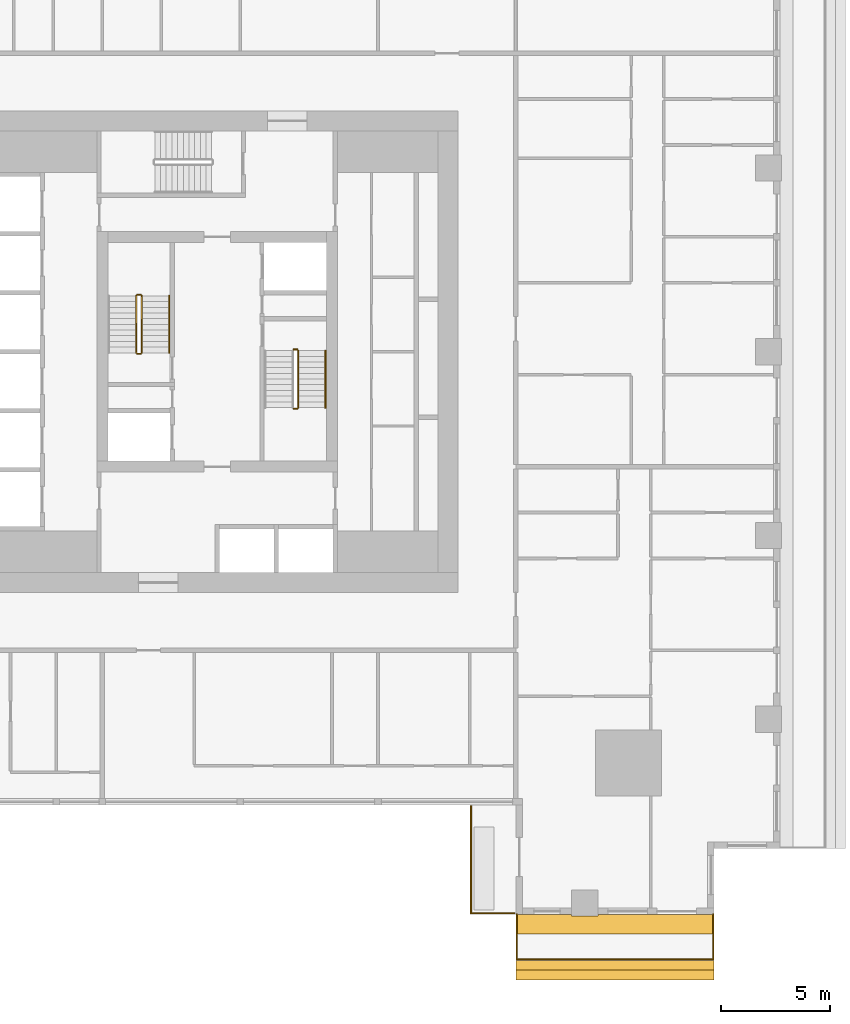
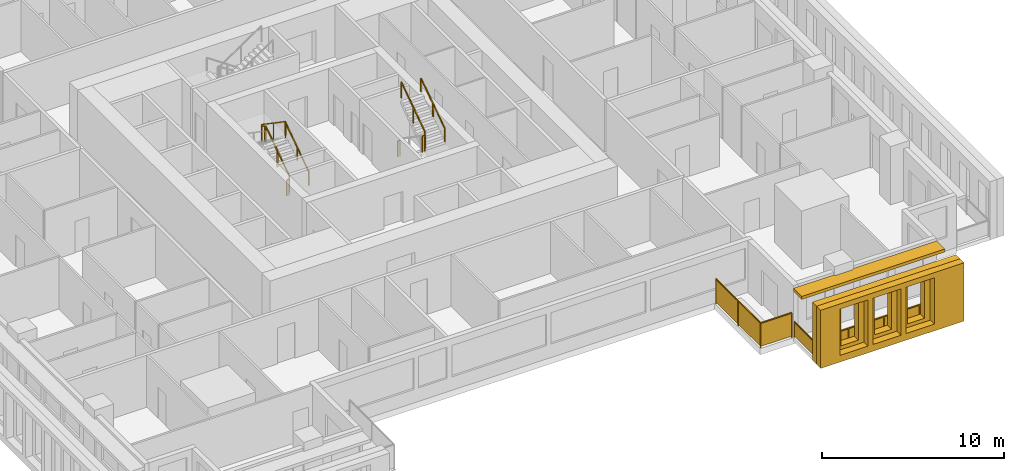
# One storey, part 11 of 14: 11 railings, 3 shading devices.
"""IFC4 building model written with IfcOpenShell, lengths in metres."""

from ifc_helpers import new_model, si_unit, direction, frame, origin, origin_2d, place, context, subcontext, project, spatial, polyline, rectangle, outline, extrude, material, layer, layer_set, type_object, element, save


model = new_model("IFC4")

# Units and contexts
model_context = context("Model", 3, precision=1e-05, world=origin(), true_north=direction((0.0, 1.0)))
body_context = subcontext(model_context, "Body", "Model", "MODEL_VIEW")
ifc_project = project(units=[si_unit("LENGTHUNIT", "METRE"), si_unit("AREAUNIT", "SQUARE_METRE"), si_unit("VOLUMEUNIT", "CUBIC_METRE"), si_unit("PLANEANGLEUNIT", "RADIAN"), si_unit("MASSUNIT", "GRAM", prefix="KILO")], contexts=[model_context])

# Site, building, storey
site_placement = place(None, origin())
site = spatial("IfcSite", under=ifc_project, at=site_placement, CompositionType="ELEMENT")
building_placement = place(site_placement, origin())
building = spatial("IfcBuilding", under=site, at=building_placement, Name="Khepri Terraces", CompositionType="ELEMENT")
storey_placement = place(building_placement, frame((0.0, 0.0, 66.0)))
storey = spatial("IfcBuildingStorey", under=building, at=storey_placement, Name="L15", CompositionType="ELEMENT", Elevation=66.0)

# Railings
ifc_material_1 = material(Name="Stainless steel grade 316", Category="steel")
railing_type_1 = type_object("IfcRailingType", Name="GRD-BAL-1100", PredefinedType="GUARDRAIL", material=ifc_material_1)
railing_1_placement = place(storey_placement, frame((13.699951171875, -25.719970703125, 0.0)))
element("IfcRailing", 1, at=railing_1_placement, inside=storey, type_object=railing_type_1, Name="Balcony guard L15 S", PredefinedType="GUARDRAIL", context=body_context, shape_type="SweptSolid", body=[
    extrude(rectangle(XDim=0.050048828125, YDim=0.06005859375, at=origin_2d()), frame((0.0, 0.0, 1.070068359375), z_axis=(0.0, -1.0, 0.0), x_axis=(1.0, 0.0, 0.0)), (0.0, 0.0, 1.0), 2.050048828125),
    extrude(rectangle(XDim=2.0, YDim=0.011962890625, at=origin_2d()), frame((0.0, -1.02490234375, 0.10009765625), z_axis=(0.0, 0.0, 1.0), x_axis=(0.0, -1.0, 0.0)), (0.0, 0.0, 1.0), 0.93994140625),
    extrude(rectangle(XDim=0.050048828125, YDim=0.06005859375, at=origin_2d()), frame((0.0, -2.050048828125, 1.070068359375), z_axis=(1.0, 0.0, 0.0), x_axis=(0.0, 1.0, 0.0)), (0.0, 0.0, 1.0), 8.969970703125),
    extrude(rectangle(XDim=2.1923828125, YDim=0.011962890625, at=origin_2d()), frame((1.121337890625, -2.050048828125, 0.10009765625), z_axis=(0.0, 0.0, 1.0), x_axis=(1.0, 0.0, 0.0)), (0.0, 0.0, 1.0), 0.93994140625),
    extrude(rectangle(XDim=2.1923828125, YDim=0.011962890625, at=origin_2d()), frame((3.36376953125, -2.050048828125, 0.10009765625), z_axis=(0.0, 0.0, 1.0), x_axis=(1.0, 0.0, 0.0)), (0.0, 0.0, 1.0), 0.93994140625),
    extrude(rectangle(XDim=2.1923828125, YDim=0.011962890625, at=origin_2d()), frame((5.606201171875, -2.050048828125, 0.10009765625), z_axis=(0.0, 0.0, 1.0), x_axis=(1.0, 0.0, 0.0)), (0.0, 0.0, 1.0), 0.93994140625),
    extrude(rectangle(XDim=2.1923828125, YDim=0.011962890625, at=origin_2d()), frame((7.8486328125, -2.050048828125, 0.10009765625), z_axis=(0.0, 0.0, 1.0), x_axis=(1.0, 0.0, 0.0)), (0.0, 0.0, 1.0), 0.93994140625),
    extrude(rectangle(XDim=0.050048828125, YDim=0.06005859375, at=origin_2d()), frame((8.969970703125, -2.050048828125, 1.070068359375), z_axis=(0.0, 1.0, 0.0), x_axis=(-1.0, 0.0, 0.0)), (0.0, 0.0, 1.0), 2.050048828125),
    extrude(rectangle(XDim=2.0, YDim=0.011962890625, at=origin_2d()), frame((8.969970703125, -1.02490234375, 0.10009765625), z_axis=(0.0, 0.0, 1.0), x_axis=(0.0, 1.0, 0.0)), (0.0, 0.0, 1.0), 0.93994140625),
    extrude(rectangle(XDim=0.050048828125, YDim=0.050048828125, at=origin_2d()), origin(), (0.0, 0.0, 1.0), 1.0400390625),
    extrude(rectangle(XDim=0.050048828125, YDim=0.050048828125, at=origin_2d()), frame((0.0, -2.050048828125, 0.0)), (0.0, 0.0, 1.0), 1.0400390625),
    extrude(rectangle(XDim=0.050048828125, YDim=0.050048828125, at=origin_2d()), frame((2.242431640625, -2.050048828125, 0.0)), (0.0, 0.0, 1.0), 1.0400390625),
    extrude(rectangle(XDim=0.050048828125, YDim=0.050048828125, at=origin_2d()), frame((4.48486328125, -2.050048828125, 0.0)), (0.0, 0.0, 1.0), 1.0400390625),
    extrude(rectangle(XDim=0.050048828125, YDim=0.050048828125, at=origin_2d()), frame((6.7275390625, -2.050048828125, 0.0)), (0.0, 0.0, 1.0), 1.0400390625),
    extrude(rectangle(XDim=0.050048828125, YDim=0.050048828125, at=origin_2d()), frame((8.969970703125, -2.050048828125, 0.0)), (0.0, 0.0, 1.0), 1.0400390625),
    extrude(rectangle(XDim=0.050048828125, YDim=0.050048828125, at=origin_2d()), frame((8.969970703125, 0.0, 0.0)), (0.0, 0.0, 1.0), 1.0400390625),
])
railing_type_2 = type_object("IfcRailingType", Name="GRD-TERR-1700", PredefinedType="GUARDRAIL", material=ifc_material_1)
railing_2_placement = place(storey_placement, frame((13.580078125, -25.669921875, 0.0)))
element("IfcRailing", 2, at=railing_2_placement, inside=storey, type_object=railing_type_2, Name="Terrace guard L15", PredefinedType="GUARDRAIL", context=body_context, shape_type="SweptSolid", body=[
    extrude(rectangle(XDim=0.050048828125, YDim=0.06005859375, at=origin_2d()), frame((0.0, 0.0, 1.669921875), z_axis=(-1.0, 0.0, 0.0), x_axis=(0.0, -1.0, 0.0)), (0.0, 0.0, 1.0), 1.97998046875),
    extrude(rectangle(XDim=1.929931640625, YDim=0.011962890625, at=origin_2d()), frame((-0.989990234375, 0.0, 0.10009765625), z_axis=(0.0, 0.0, 1.0), x_axis=(-1.0, 0.0, 0.0)), (0.0, 0.0, 1.0), 1.539794921875),
    extrude(rectangle(XDim=0.050048828125, YDim=0.06005859375, at=origin_2d()), frame((-1.97998046875, 0.0, 1.669921875), z_axis=(0.0, 1.0, 0.0), x_axis=(-1.0, 0.0, 0.0)), (0.0, 0.0, 1.0), 4.8798828125),
    extrude(rectangle(XDim=2.389892578125, YDim=0.011962890625, at=origin_2d()), frame((-1.97998046875, 1.219970703125, 0.10009765625), z_axis=(0.0, 0.0, 1.0), x_axis=(0.0, 1.0, 0.0)), (0.0, 0.0, 1.0), 1.539794921875),
    extrude(rectangle(XDim=2.389892578125, YDim=0.011962890625, at=origin_2d()), frame((-1.97998046875, 3.659912109375, 0.10009765625), z_axis=(0.0, 0.0, 1.0), x_axis=(0.0, 1.0, 0.0)), (0.0, 0.0, 1.0), 1.539794921875),
    extrude(rectangle(XDim=0.050048828125, YDim=0.050048828125, at=origin_2d()), origin(), (0.0, 0.0, 1.0), 1.639892578125),
    extrude(rectangle(XDim=0.050048828125, YDim=0.050048828125, at=origin_2d()), frame((-1.97998046875, 0.0, 0.0)), (0.0, 0.0, 1.0), 1.639892578125),
    extrude(rectangle(XDim=0.050048828125, YDim=0.050048828125, at=origin_2d()), frame((-1.97998046875, 2.43994140625, 0.0)), (0.0, 0.0, 1.0), 1.639892578125),
    extrude(rectangle(XDim=0.050048828125, YDim=0.050048828125, at=origin_2d()), frame((-1.97998046875, 4.8798828125, 0.0)), (0.0, 0.0, 1.0), 1.639892578125),
])
ifc_material_2 = material(Name="Stainless steel 316", Category="steel")
railing_type_3 = type_object("IfcRailingType", Name="RL-CORE-GUARD", PredefinedType="GUARDRAIL", material=ifc_material_2)
railing_3_placement = place(storey_placement, frame((-3.449951171875, -0.050048828125, 0.17724609375)))
element("IfcRailing", 3, at=railing_3_placement, inside=storey, type_object=railing_type_3, Name="L15 ST-1 stair guard 1", PredefinedType="GUARDRAIL", context=body_context, shape_type="SweptSolid", body=[
    extrude(rectangle(XDim=0.050048828125, YDim=0.06005859375, at=origin_2d()), frame((0.0, 0.0, 1.070068359375), z_axis=(0.0, 0.826240473404, 0.563317565952), x_axis=(-1.0, 0.0, 0.0)), (0.0, 0.0, 1.0), 3.14697265625),
    extrude(rectangle(XDim=0.050048828125, YDim=0.050048828125, at=origin_2d()), origin(), (0.0, 0.0, 1.0), 1.0400390625),
    extrude(rectangle(XDim=0.050048828125, YDim=0.050048828125, at=origin_2d()), frame((0.0, 1.300048828125, 0.88623046875)), (0.0, 0.0, 1.0), 1.0400390625),
    extrude(rectangle(XDim=0.050048828125, YDim=0.050048828125, at=origin_2d()), frame((0.0, 2.60009765625, 1.772705078125)), (0.0, 0.0, 1.0), 1.0400390625),
])
railing_4_placement = place(storey_placement, frame((-3.5, 2.60009765625, 1.949951171875)))
element("IfcRailing", 4, at=railing_4_placement, inside=storey, type_object=railing_type_3, Name="L15 ST-1 stair guard 2", PredefinedType="GUARDRAIL", context=body_context, shape_type="SweptSolid", body=[
    extrude(rectangle(XDim=0.050048828125, YDim=0.06005859375, at=origin_2d()), frame((0.0, 0.0, 1.070068359375), z_axis=(-1.0, 0.0, 0.0), x_axis=(0.0, -1.0, 0.0)), (0.0, 0.0, 1.0), 0.14990234375),
    extrude(rectangle(XDim=0.050048828125, YDim=0.050048828125, at=origin_2d()), origin(), (0.0, 0.0, 1.0), 1.0400390625),
    extrude(rectangle(XDim=0.050048828125, YDim=0.050048828125, at=origin_2d()), frame((-0.14990234375, 0.0, 0.0)), (0.0, 0.0, 1.0), 1.0400390625),
])
railing_5_placement = place(storey_placement, frame((-3.699951171875, 2.550048828125, 2.127197265625)))
element("IfcRailing", 5, at=railing_5_placement, inside=storey, type_object=railing_type_3, Name="L15 ST-1 stair guard 3", PredefinedType="GUARDRAIL", context=body_context, shape_type="SweptSolid", body=[
    extrude(rectangle(XDim=0.050048828125, YDim=0.06005859375, at=origin_2d()), frame((0.0, 0.0, 1.070068359375), z_axis=(0.0, -0.826240473404, 0.563317565952), x_axis=(1.0, 0.0, 0.0)), (0.0, 0.0, 1.0), 3.14697265625),
    extrude(rectangle(XDim=0.050048828125, YDim=0.050048828125, at=origin_2d()), origin(), (0.0, 0.0, 1.0), 1.0400390625),
    extrude(rectangle(XDim=0.050048828125, YDim=0.050048828125, at=origin_2d()), frame((0.0, -1.300048828125, 0.88623046875)), (0.0, 0.0, 1.0), 1.0400390625),
    extrude(rectangle(XDim=0.050048828125, YDim=0.050048828125, at=origin_2d()), frame((0.0, -2.60009765625, 1.772705078125)), (0.0, 0.0, 1.0), 1.0400390625),
])
railing_6_placement = place(storey_placement, frame((-3.5, -0.10009765625, 0.0)))
element("IfcRailing", 6, at=railing_6_placement, inside=storey, type_object=railing_type_3, Name="L15 ST-1 stair guard 4", PredefinedType="GUARDRAIL", context=body_context, shape_type="SweptSolid", body=[
    extrude(rectangle(XDim=0.050048828125, YDim=0.06005859375, at=origin_2d()), frame((0.0, 0.0, 1.070068359375), z_axis=(-1.0, 0.0, 0.0), x_axis=(0.0, -1.0, 0.0)), (0.0, 0.0, 1.0), 0.14990234375),
    extrude(rectangle(XDim=0.050048828125, YDim=0.050048828125, at=origin_2d()), origin(), (0.0, 0.0, 1.0), 1.0400390625),
    extrude(rectangle(XDim=0.050048828125, YDim=0.050048828125, at=origin_2d()), frame((-0.14990234375, 0.0, 0.0)), (0.0, 0.0, 1.0), 1.0400390625),
])
railing_7_placement = place(storey_placement, frame((3.5, -2.60009765625, 1.949951171875)))
element("IfcRailing", 7, at=railing_7_placement, inside=storey, type_object=railing_type_3, Name="L15 ST-2 stair guard 2", PredefinedType="GUARDRAIL", context=body_context, shape_type="SweptSolid", body=[
    extrude(rectangle(XDim=0.050048828125, YDim=0.06005859375, at=origin_2d()), frame((0.0, 0.0, 1.070068359375), z_axis=(1.0, 0.0, 0.0), x_axis=(0.0, 1.0, 0.0)), (0.0, 0.0, 1.0), 0.14990234375),
    extrude(rectangle(XDim=0.050048828125, YDim=0.050048828125, at=origin_2d()), origin(), (0.0, 0.0, 1.0), 1.0400390625),
    extrude(rectangle(XDim=0.050048828125, YDim=0.050048828125, at=origin_2d()), frame((0.14990234375, 0.0, 0.0)), (0.0, 0.0, 1.0), 1.0400390625),
])
railing_8_placement = place(storey_placement, frame((3.699951171875, -2.550048828125, 2.127197265625)))
element("IfcRailing", 8, at=railing_8_placement, inside=storey, type_object=railing_type_3, Name="L15 ST-2 stair guard 3", PredefinedType="GUARDRAIL", context=body_context, shape_type="SweptSolid", body=[
    extrude(rectangle(XDim=0.050048828125, YDim=0.06005859375, at=origin_2d()), frame((0.0, 0.0, 1.070068359375), z_axis=(0.0, 0.826240473404, 0.563317565952), x_axis=(-1.0, 0.0, 0.0)), (0.0, 0.0, 1.0), 3.14697265625),
    extrude(rectangle(XDim=0.050048828125, YDim=0.050048828125, at=origin_2d()), origin(), (0.0, 0.0, 1.0), 1.0400390625),
    extrude(rectangle(XDim=0.050048828125, YDim=0.050048828125, at=origin_2d()), frame((0.0, 1.300048828125, 0.88623046875)), (0.0, 0.0, 1.0), 1.0400390625),
    extrude(rectangle(XDim=0.050048828125, YDim=0.050048828125, at=origin_2d()), frame((0.0, 2.60009765625, 1.772705078125)), (0.0, 0.0, 1.0), 1.0400390625),
])
railing_9_placement = place(storey_placement, frame((3.5, 0.10009765625, 0.0)))
element("IfcRailing", 9, at=railing_9_placement, inside=storey, type_object=railing_type_3, Name="L15 ST-2 stair guard 4", PredefinedType="GUARDRAIL", context=body_context, shape_type="SweptSolid", body=[
    extrude(rectangle(XDim=0.050048828125, YDim=0.06005859375, at=origin_2d()), frame((0.0, 0.0, 1.070068359375), z_axis=(1.0, 0.0, 0.0), x_axis=(0.0, 1.0, 0.0)), (0.0, 0.0, 1.0), 0.14990234375),
    extrude(rectangle(XDim=0.050048828125, YDim=0.050048828125, at=origin_2d()), origin(), (0.0, 0.0, 1.0), 1.0400390625),
    extrude(rectangle(XDim=0.050048828125, YDim=0.050048828125, at=origin_2d()), frame((0.14990234375, 0.0, 0.0)), (0.0, 0.0, 1.0), 1.0400390625),
])
railing_type_4 = type_object("IfcRailingType", Name="RL-CORE-HANDRAIL", PredefinedType="HANDRAIL", material=ifc_material_2)
for number, where, name in (
    (10, (-2.199951171875, -0.050048828125, 0.17724609375), "L15 ST-1 stair handrail 1"),
    (11, (4.949951171875, -2.550048828125, 2.127197265625), "L15 ST-2 stair handrail 2"),
):
    element("IfcRailing", number, at=place(storey_placement, frame(where)), inside=storey, type_object=railing_type_4, Name=name, PredefinedType="HANDRAIL", context=body_context, shape_type="SweptSolid", body=[
        extrude(rectangle(XDim=0.050048828125, YDim=0.050048828125, at=origin_2d()), frame((0.0, 0.0, 0.875), z_axis=(0.0, 0.826240473404, 0.563317565952), x_axis=(-1.0, 0.0, 0.0)), (0.0, 0.0, 1.0), 3.14697265625),
        extrude(rectangle(XDim=0.050048828125, YDim=0.050048828125, at=origin_2d()), origin(), (0.0, 0.0, 1.0), 0.849853515625),
        extrude(rectangle(XDim=0.050048828125, YDim=0.050048828125, at=origin_2d()), frame((0.0, 1.300048828125, 0.88623046875)), (0.0, 0.0, 1.0), 0.849853515625),
        extrude(rectangle(XDim=0.050048828125, YDim=0.050048828125, at=origin_2d()), frame((0.0, 2.60009765625, 1.772705078125)), (0.0, 0.0, 1.0), 0.849853515625),
    ])

# Shading devices
ifc_material_3 = material(Name="Precast concrete C50/60 warm stone", Category="masonry")
shading_device_type_1 = type_object("IfcShadingDeviceType", Name="SCR-CELL-INNER-450", PredefinedType="USERDEFINED", material=ifc_material_3)
shading_device_1_placement = place(storey_placement, frame((13.64990234375, -27.820068359375, -0.25), z_axis=(0.0, -1.0, 0.0), x_axis=(1.0, 0.0, 0.0)))
element("IfcShadingDevice", 12, at=shading_device_1_placement, inside=storey, type_object=shading_device_type_1, Name="Cell screen L15 S in", ObjectType="SCREEN", PredefinedType="USERDEFINED", context=body_context, shape_type="SweptSolid", body=[
    extrude(outline(polyline([(0.0, 0.0), (9.070068359375, 0.0), (9.070068359375, 3.89990234375), (0.0, 3.89990234375), (0.0, 0.0)]), holes=[polyline([(1.556640625, 0.699951171875), (2.643310546875, 0.699951171875), (2.643310546875, 3.300048828125), (1.556640625, 3.300048828125), (1.556640625, 0.699951171875)]), polyline([(3.656494140625, 0.699951171875), (4.743408203125, 0.699951171875), (4.743408203125, 3.300048828125), (3.656494140625, 3.300048828125), (3.656494140625, 0.699951171875)]), polyline([(5.756591796875, 0.699951171875), (6.843505859375, 0.699951171875), (6.843505859375, 3.300048828125), (5.756591796875, 3.300048828125), (5.756591796875, 0.699951171875)]), polyline([(7.856689453125, 0.699951171875), (8.943359375, 0.699951171875), (8.943359375, 3.300048828125), (7.856689453125, 3.300048828125), (7.856689453125, 0.699951171875)])]), origin(), (0.0, 0.0, 1.0), 0.449951171875),
])
shading_device_type_2 = type_object("IfcShadingDeviceType", Name="SCR-CELL-OUTER-450", PredefinedType="USERDEFINED", material=ifc_material_3)
shading_device_2_placement = place(storey_placement, frame((13.64990234375, -28.27001953125, -0.25), z_axis=(0.0, -1.0, 0.0), x_axis=(1.0, 0.0, 0.0)))
element("IfcShadingDevice", 13, at=shading_device_2_placement, inside=storey, type_object=shading_device_type_2, Name="Cell screen L15 S out", ObjectType="SCREEN", PredefinedType="USERDEFINED", context=body_context, shape_type="SweptSolid", body=[
    extrude(outline(polyline([(0.0, 0.0), (9.070068359375, 0.0), (9.070068359375, 3.89990234375), (0.0, 3.89990234375), (0.0, 0.0)]), holes=[polyline([(1.20654296875, 0.449951171875), (2.993408203125, 0.449951171875), (2.993408203125, 3.550048828125), (1.20654296875, 3.550048828125), (1.20654296875, 0.449951171875)]), polyline([(3.306640625, 0.449951171875), (5.093505859375, 0.449951171875), (5.093505859375, 3.550048828125), (3.306640625, 3.550048828125), (3.306640625, 0.449951171875)]), polyline([(5.406494140625, 0.449951171875), (7.193359375, 0.449951171875), (7.193359375, 3.550048828125), (5.406494140625, 3.550048828125), (5.406494140625, 0.449951171875)])]), origin(), (0.0, 0.0, 1.0), 0.449951171875),
])
ifc_layer = layer(ifc_material_3, 0.199951171875, Name="Precast concrete C50/60 warm stone", Category="masonry")
ifc_layer_set = layer_set([ifc_layer], Name="Precast concrete C50/60 warm stone")
shading_device_type_3 = type_object("IfcShadingDeviceType", Name="SSH-BAND-STONE-200", PredefinedType="USERDEFINED", material=ifc_layer_set)
shading_device_3_placement = place(storey_placement, frame((0.0, 0.0, 3.10009765625)))
element("IfcShadingDevice", 14, at=shading_device_3_placement, inside=storey, type_object=shading_device_type_3, Name="Sunshade band L15 S", ObjectType="SUNSHADE", PredefinedType="USERDEFINED", context=body_context, shape_type="SweptSolid", body=[
    extrude(outline(polyline([(16.199951171875, -25.719970703125), (13.64990234375, -25.719970703125), (13.64990234375, -26.6201171875), (22.719970703125, -26.6201171875), (22.719970703125, -25.719970703125), (17.39990234375, -25.719970703125), (17.39990234375, -25.800048828125), (16.199951171875, -25.800048828125), (16.199951171875, -25.719970703125)])), origin(), (0.0, 0.0, 1.0), 0.199951171875),
])

save(model, "model.ifc")
